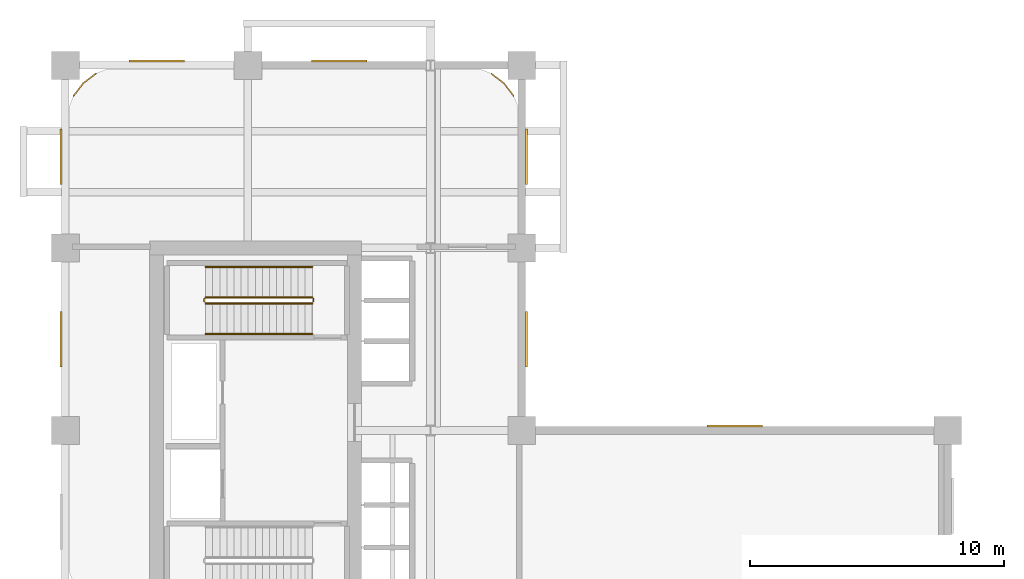
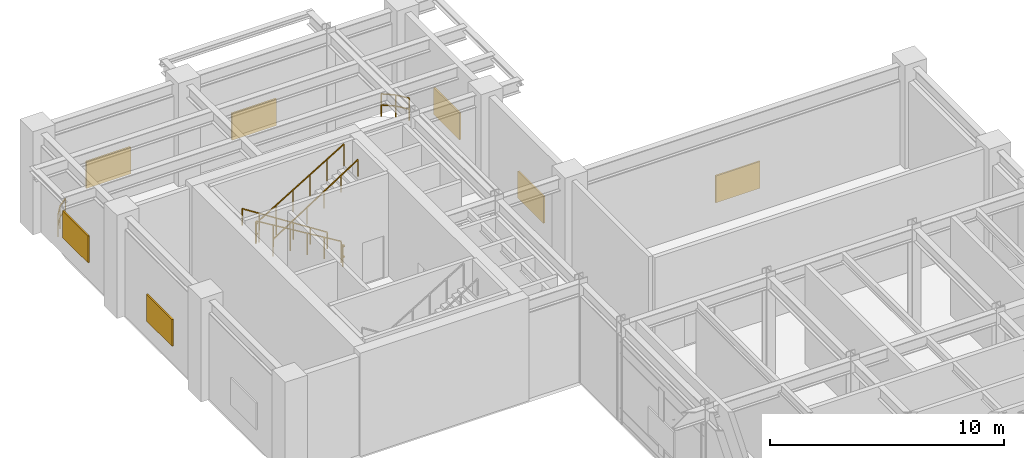
# One storey, part 12 of 12: 8 railings, 7 shading devices.
"""IFC4 building model written with IfcOpenShell, lengths in metres."""

from ifc_helpers import new_model, si_unit, derived_unit, direction, frame, origin, origin_2d, place, context, subcontext, project, spatial, rectangle, extrude, source, transform, mapped, material, layer, layer_set, type_object, type_shapes, element, save


model = new_model("IFC4")

# Units and contexts
model_context = context("Model", 3, precision=1e-05, world=origin(), true_north=direction((0.0, 1.0)))
body_context = subcontext(model_context, "Body", "Model", "MODEL_VIEW")
ifc_project = project(units=[si_unit("LENGTHUNIT", "METRE"), si_unit("AREAUNIT", "SQUARE_METRE"), si_unit("VOLUMEUNIT", "CUBIC_METRE"), si_unit("PLANEANGLEUNIT", "RADIAN"), si_unit("MASSUNIT", "GRAM", prefix="KILO"), si_unit("THERMODYNAMICTEMPERATUREUNIT", "KELVIN"), si_unit("POWERUNIT", "WATT"), derived_unit("THERMALTRANSMITTANCEUNIT", [(si_unit("POWERUNIT", "WATT"), 1), (si_unit("AREAUNIT", "SQUARE_METRE"), -1), (si_unit("THERMODYNAMICTEMPERATUREUNIT", "KELVIN"), -1)])], contexts=[model_context])

# Site, building, storey
site_placement = place(None, origin())
site = spatial("IfcSite", under=ifc_project, at=site_placement, CompositionType="ELEMENT")
building_placement = place(site_placement, origin())
building = spatial("IfcBuilding", under=site, at=building_placement, Name="Zahravan Archway Hotel and Residences", CompositionType="ELEMENT")
storey_placement = place(building_placement, frame((0.0, 0.0, 106.39990234375)))
storey = spatial("IfcBuildingStorey", under=building, at=storey_placement, Name="L26", CompositionType="ELEMENT", Elevation=106.39990234375)

# Railings
ifc_material_1 = material(Name="Painted Tubular Steel", Category="steel")
railing_type_1 = type_object("IfcRailingType", Name="RL-STG-1150", PredefinedType="GUARDRAIL", material=ifc_material_1)
railing_1_placement = place(storey_placement, frame((9.72998046875, 37.64990234375, 0.1689453125)))
element("IfcRailing", 1, at=railing_1_placement, inside=storey, type_object=railing_type_1, Name="L26 ST-B2 stair guard 1", PredefinedType="GUARDRAIL", context=body_context, shape_type="SweptSolid", body=[
    extrude(rectangle(XDim=0.048095703125, YDim=0.048095703125, at=origin_2d()), frame((0.0, 0.0, 1.1259765625), z_axis=(-0.856476492594, 0.0, 0.516186030065), x_axis=(0.0, -1.0, 0.0)), (0.0, 0.0, 1.0), 4.90380859375),
    extrude(rectangle(XDim=0.0419921875, YDim=0.0419921875, at=origin_2d()), origin(), (0.0, 0.0, 1.0), 1.101806640625),
    extrude(rectangle(XDim=0.0419921875, YDim=0.0419921875, at=origin_2d()), frame((-0.840087890625, 0.0, 0.50634765625)), (0.0, 0.0, 1.0), 1.101806640625),
    extrude(rectangle(XDim=0.0419921875, YDim=0.0419921875, at=origin_2d()), frame((-1.679931640625, 0.0, 1.012451171875)), (0.0, 0.0, 1.0), 1.101806640625),
    extrude(rectangle(XDim=0.0419921875, YDim=0.0419921875, at=origin_2d()), frame((-2.52001953125, 0.0, 1.518798828125)), (0.0, 0.0, 1.0), 1.101806640625),
    extrude(rectangle(XDim=0.0419921875, YDim=0.0419921875, at=origin_2d()), frame((-3.35986328125, 0.0, 2.02490234375)), (0.0, 0.0, 1.0), 1.101806640625),
    extrude(rectangle(XDim=0.0419921875, YDim=0.0419921875, at=origin_2d()), frame((-4.199951171875, 0.0, 2.53125)), (0.0, 0.0, 1.0), 1.101806640625),
])
railing_2_placement = place(storey_placement, frame((5.47998046875, 37.60009765625, 2.7001953125)))
element("IfcRailing", 2, at=railing_2_placement, inside=storey, type_object=railing_type_1, Name="L26 ST-B2 stair guard 2", PredefinedType="GUARDRAIL", context=body_context, shape_type="SweptSolid", body=[
    extrude(rectangle(XDim=0.048095703125, YDim=0.048095703125, at=origin_2d()), frame((0.0, 0.0, 1.1259765625), z_axis=(0.0, -1.0, 0.0), x_axis=(1.0, 0.0, 0.0)), (0.0, 0.0, 1.0), 0.14013671875),
    extrude(rectangle(XDim=0.048095703125, YDim=0.048095703125, at=origin_2d()), frame((0.0, 0.0, 0.574951171875), z_axis=(0.0, -1.0, 0.0), x_axis=(1.0, 0.0, 0.0)), (0.0, 0.0, 1.0), 0.14013671875),
    extrude(rectangle(XDim=0.0419921875, YDim=0.0419921875, at=origin_2d()), origin(), (0.0, 0.0, 1.0), 1.101806640625),
])
railing_3_placement = place(storey_placement, frame((5.530029296875, 37.409912109375, 2.868896484375)))
element("IfcRailing", 3, at=railing_3_placement, inside=storey, type_object=railing_type_1, Name="L26 ST-B2 stair guard 3", PredefinedType="GUARDRAIL", context=body_context, shape_type="SweptSolid", body=[
    extrude(rectangle(XDim=0.048095703125, YDim=0.048095703125, at=origin_2d()), frame((0.0, 0.0, 1.1259765625), z_axis=(0.856476492594, 0.0, 0.516186030065), x_axis=(0.0, 1.0, 0.0)), (0.0, 0.0, 1.0), 4.90380859375),
    extrude(rectangle(XDim=0.0419921875, YDim=0.0419921875, at=origin_2d()), origin(), (0.0, 0.0, 1.0), 1.101806640625),
    extrude(rectangle(XDim=0.0419921875, YDim=0.0419921875, at=origin_2d()), frame((0.840087890625, 0.0, 0.50634765625)), (0.0, 0.0, 1.0), 1.101806640625),
    extrude(rectangle(XDim=0.0419921875, YDim=0.0419921875, at=origin_2d()), frame((1.679931640625, 0.0, 1.012451171875)), (0.0, 0.0, 1.0), 1.101806640625),
    extrude(rectangle(XDim=0.0419921875, YDim=0.0419921875, at=origin_2d()), frame((2.52001953125, 0.0, 1.518798828125)), (0.0, 0.0, 1.0), 1.101806640625),
    extrude(rectangle(XDim=0.0419921875, YDim=0.0419921875, at=origin_2d()), frame((3.35986328125, 0.0, 2.02490234375)), (0.0, 0.0, 1.0), 1.101806640625),
    extrude(rectangle(XDim=0.0419921875, YDim=0.0419921875, at=origin_2d()), frame((4.199951171875, 0.0, 2.53125)), (0.0, 0.0, 1.0), 1.101806640625),
])
railing_4_placement = place(storey_placement, frame((9.780029296875, 37.60009765625, 0.0)))
element("IfcRailing", 4, at=railing_4_placement, inside=storey, type_object=railing_type_1, Name="L26 ST-B2 stair guard 4", PredefinedType="GUARDRAIL", context=body_context, shape_type="SweptSolid", body=[
    extrude(rectangle(XDim=0.048095703125, YDim=0.048095703125, at=origin_2d()), frame((0.0, 0.0, 1.1259765625), z_axis=(0.0, -1.0, 0.0), x_axis=(1.0, 0.0, 0.0)), (0.0, 0.0, 1.0), 0.14013671875),
    extrude(rectangle(XDim=0.048095703125, YDim=0.048095703125, at=origin_2d()), frame((0.0, 0.0, 0.574951171875), z_axis=(0.0, -1.0, 0.0), x_axis=(1.0, 0.0, 0.0)), (0.0, 0.0, 1.0), 0.14013671875),
    extrude(rectangle(XDim=0.0419921875, YDim=0.0419921875, at=origin_2d()), origin(), (0.0, 0.0, 1.0), 1.101806640625),
])
ifc_material_2 = material(Name="Brushed Stainless Steel", Category="steel")
railing_type_2 = type_object("IfcRailingType", Name="RL-STH-900", PredefinedType="HANDRAIL", material=ifc_material_2)
railing_5_placement = place(storey_placement, frame((9.72998046875, 38.85009765625, 0.1689453125)))
element("IfcRailing", 5, at=railing_5_placement, inside=storey, type_object=railing_type_2, Name="L26 ST-B2 stair handrail 1", PredefinedType="HANDRAIL", context=body_context, shape_type="SweptSolid", body=[
    extrude(rectangle(XDim=0.048095703125, YDim=0.048095703125, at=origin_2d()), frame((0.0, 0.0, 0.8759765625), z_axis=(-0.841180064094, 0.0, 0.540755119968), x_axis=(0.0, -1.0, 0.0)), (0.0, 0.0, 1.0), 4.992919921875),
    extrude(rectangle(XDim=0.0419921875, YDim=0.0419921875, at=origin_2d()), origin(), (0.0, 0.0, 1.0), 0.851806640625),
    extrude(rectangle(XDim=0.0419921875, YDim=0.0419921875, at=origin_2d()), frame((-0.840087890625, 0.0, 0.5400390625)), (0.0, 0.0, 1.0), 0.851806640625),
    extrude(rectangle(XDim=0.0419921875, YDim=0.0419921875, at=origin_2d()), frame((-1.679931640625, 0.0, 1.080078125)), (0.0, 0.0, 1.0), 0.851806640625),
    extrude(rectangle(XDim=0.0419921875, YDim=0.0419921875, at=origin_2d()), frame((-2.52001953125, 0.0, 1.619873046875)), (0.0, 0.0, 1.0), 0.851806640625),
    extrude(rectangle(XDim=0.0419921875, YDim=0.0419921875, at=origin_2d()), frame((-3.35986328125, 0.0, 2.159912109375)), (0.0, 0.0, 1.0), 0.851806640625),
    extrude(rectangle(XDim=0.0419921875, YDim=0.0419921875, at=origin_2d()), frame((-4.199951171875, 0.0, 2.699951171875)), (0.0, 0.0, 1.0), 0.851806640625),
])
railing_6_placement = place(storey_placement, frame((5.530029296875, 36.2099609375, 2.868896484375)))
element("IfcRailing", 6, at=railing_6_placement, inside=storey, type_object=railing_type_2, Name="L26 ST-B2 stair handrail 2", PredefinedType="HANDRAIL", context=body_context, shape_type="SweptSolid", body=[
    extrude(rectangle(XDim=0.048095703125, YDim=0.048095703125, at=origin_2d()), frame((0.0, 0.0, 0.8759765625), z_axis=(0.841180064094, 0.0, 0.540755119968), x_axis=(0.0, 1.0, 0.0)), (0.0, 0.0, 1.0), 4.992919921875),
    extrude(rectangle(XDim=0.0419921875, YDim=0.0419921875, at=origin_2d()), origin(), (0.0, 0.0, 1.0), 0.851806640625),
    extrude(rectangle(XDim=0.0419921875, YDim=0.0419921875, at=origin_2d()), frame((0.840087890625, 0.0, 0.5400390625)), (0.0, 0.0, 1.0), 0.851806640625),
    extrude(rectangle(XDim=0.0419921875, YDim=0.0419921875, at=origin_2d()), frame((1.679931640625, 0.0, 1.080078125)), (0.0, 0.0, 1.0), 0.851806640625),
    extrude(rectangle(XDim=0.0419921875, YDim=0.0419921875, at=origin_2d()), frame((2.52001953125, 0.0, 1.619873046875)), (0.0, 0.0, 1.0), 0.851806640625),
    extrude(rectangle(XDim=0.0419921875, YDim=0.0419921875, at=origin_2d()), frame((3.35986328125, 0.0, 2.159912109375)), (0.0, 0.0, 1.0), 0.851806640625),
    extrude(rectangle(XDim=0.0419921875, YDim=0.0419921875, at=origin_2d()), frame((4.199951171875, 0.0, 2.699951171875)), (0.0, 0.0, 1.0), 0.851806640625),
])
ifc_material_3 = material(Name="Architectural Bronze Terrace Guardrail")
railing_type_3 = type_object("IfcRailingType", Name="RL-TER-1200", PredefinedType="GUARDRAIL", material=ifc_material_3)
railing_7_placement = place(storey_placement, frame((17.678466796875, 45.60009765625, 0.0)))
element("IfcRailing", 7, at=railing_7_placement, inside=storey, type_object=railing_type_3, Name="L26 Balustrade RL-REFCRN-L26-1", PredefinedType="GUARDRAIL", context=body_context, shape_type="SweptSolid", body=[
    extrude(rectangle(XDim=0.048095703125, YDim=0.048095703125, at=origin_2d()), frame((0.0, 0.0, 1.17578125), z_axis=(-0.608693302629, 0.793405610854, 0.0), x_axis=(-0.793405610854, -0.608693302629, 0.0)), (0.0, 0.0, 1.0), 0.62646484375),
    extrude(rectangle(XDim=0.048095703125, YDim=0.048095703125, at=origin_2d()), frame((0.0, 0.0, 0.60009765625), z_axis=(-0.608693302629, 0.793405610854, 0.0), x_axis=(-0.793405610854, -0.608693302629, 0.0)), (0.0, 0.0, 1.0), 0.62646484375),
    extrude(rectangle(XDim=0.048095703125, YDim=0.048095703125, at=origin_2d()), frame((-0.38134765625, 0.4970703125, 1.17578125), z_axis=(-0.793405610854, 0.608693302629, 0.0), x_axis=(-0.608693302629, -0.793405610854, 0.0)), (0.0, 0.0, 1.0), 0.62646484375),
    extrude(rectangle(XDim=0.048095703125, YDim=0.048095703125, at=origin_2d()), frame((-0.38134765625, 0.4970703125, 0.60009765625), z_axis=(-0.793405610854, 0.608693302629, 0.0), x_axis=(-0.608693302629, -0.793405610854, 0.0)), (0.0, 0.0, 1.0), 0.62646484375),
    extrude(rectangle(XDim=0.0419921875, YDim=0.0419921875, at=origin_2d()), origin(), (0.0, 0.0, 1.0), 1.15185546875),
    extrude(rectangle(XDim=0.0419921875, YDim=0.0419921875, at=origin_2d()), frame((-0.38134765625, 0.4970703125, 0.0)), (0.0, 0.0, 1.0), 1.15185546875),
    extrude(rectangle(XDim=0.0419921875, YDim=0.0419921875, at=origin_2d()), frame((-0.87841796875, 0.87841796875, 0.0)), (0.0, 0.0, 1.0), 1.15185546875),
])
railing_8_placement = place(storey_placement, frame((1.199951171875, 46.478515625, 0.0)))
element("IfcRailing", 8, at=railing_8_placement, inside=storey, type_object=railing_type_3, Name="L26 Balustrade RL-REFCRN-L26-2", PredefinedType="GUARDRAIL", context=body_context, shape_type="SweptSolid", body=[
    extrude(rectangle(XDim=0.048095703125, YDim=0.048095703125, at=origin_2d()), frame((0.0, 0.0, 1.17578125), z_axis=(-0.793405610854, -0.608693302629, 0.0), x_axis=(0.608693302629, -0.793405610854, 0.0)), (0.0, 0.0, 1.0), 0.62646484375),
    extrude(rectangle(XDim=0.048095703125, YDim=0.048095703125, at=origin_2d()), frame((0.0, 0.0, 0.60009765625), z_axis=(-0.793405610854, -0.608693302629, 0.0), x_axis=(0.608693302629, -0.793405610854, 0.0)), (0.0, 0.0, 1.0), 0.62646484375),
    extrude(rectangle(XDim=0.048095703125, YDim=0.048095703125, at=origin_2d()), frame((-0.4970703125, -0.38134765625, 1.17578125), z_axis=(-0.608693302629, -0.793405610854, 0.0), x_axis=(0.793405610854, -0.608693302629, 0.0)), (0.0, 0.0, 1.0), 0.62646484375),
    extrude(rectangle(XDim=0.048095703125, YDim=0.048095703125, at=origin_2d()), frame((-0.4970703125, -0.38134765625, 0.60009765625), z_axis=(-0.608693302629, -0.793405610854, 0.0), x_axis=(0.793405610854, -0.608693302629, 0.0)), (0.0, 0.0, 1.0), 0.62646484375),
    extrude(rectangle(XDim=0.0419921875, YDim=0.0419921875, at=origin_2d()), origin(), (0.0, 0.0, 1.0), 1.15185546875),
    extrude(rectangle(XDim=0.0419921875, YDim=0.0419921875, at=origin_2d()), frame((-0.4970703125, -0.38134765625, 0.0)), (0.0, 0.0, 1.0), 1.15185546875),
    extrude(rectangle(XDim=0.0419921875, YDim=0.0419921875, at=origin_2d()), frame((-0.87841796875, -0.87841796875, 0.0)), (0.0, 0.0, 1.0), 1.15185546875),
])

# Shading devices
ifc_material_4 = material(Name="Bronze Acoustic Intake Louvre")
ifc_layer = layer(ifc_material_4, 0.080078125, Name="Bronze Acoustic Intake Louvre")
ifc_layer_set = layer_set([ifc_layer], Name="Bronze Acoustic Intake Louvre")
shading_device_type = type_object("IfcShadingDeviceType", Name="SHD-LOUVRE-60", PredefinedType="USERDEFINED", material=ifc_layer_set)
shared_shape = source(origin(), body_context, "Body", "SweptSolid", [
    extrude(rectangle(XDim=2.199951171875, YDim=0.080078125, at=origin_2d()), origin(), (0.0, 0.0, 1.0), 1.39990234375),
])
type_shapes(shading_device_type, [shared_shape])
for number, where, z_axis, x_axis, name in (
    (9, (-0.179931640625, 36.0, 0.9501953125), (0.0, 0.0, 1.0), (0.0, 1.0, 0.0), "L26 Acoustic Plant Intake Louvre 17"),
    (10, (-0.179931640625, 43.199951171875, 0.9501953125), (0.0, 0.0, 1.0), (0.0, 1.0, 0.0), "L26 Acoustic Plant Intake Louvre 18"),
    (11, (3.60009765625, 46.97998046875, 0.9501953125), (0.0, 0.0, 1.0), (1.0, 0.0, 0.0), "L26 Acoustic Plant Intake Louvre 19"),
    (12, (10.800048828125, 46.97998046875, 0.9501953125), (0.0, 0.0, 1.0), (1.0, 0.0, 0.0), "L26 Acoustic Plant Intake Louvre 20"),
    (13, (18.179931640625, 36.0, 0.9501953125), (0.0, 0.0, 1.0), (0.0, 1.0, 0.0), "L26 Acoustic Plant Intake Louvre 21"),
    (14, (18.179931640625, 43.199951171875, 0.9501953125), (0.0, 0.0, 1.0), (0.0, 1.0, 0.0), "L26 Acoustic Plant Intake Louvre 22"),
    (15, (26.39990234375, 32.580078125, 0.9501953125), (0.0, 0.0, 1.0), (1.0, 0.0, 0.0), "L26 Acoustic Plant Intake Louvre 23"),
):
    element("IfcShadingDevice", number, at=place(storey_placement, frame(where, z_axis=z_axis, x_axis=x_axis)), inside=storey, type_object=shading_device_type, Name=name, ObjectType="LOUVER", PredefinedType="USERDEFINED", context=body_context, shape_type="MappedRepresentation", body=[
        mapped(shared_shape, transform((0.0, 0.0, 0.0), scale=1.0)),
    ])

save(model, "model.ifc")
